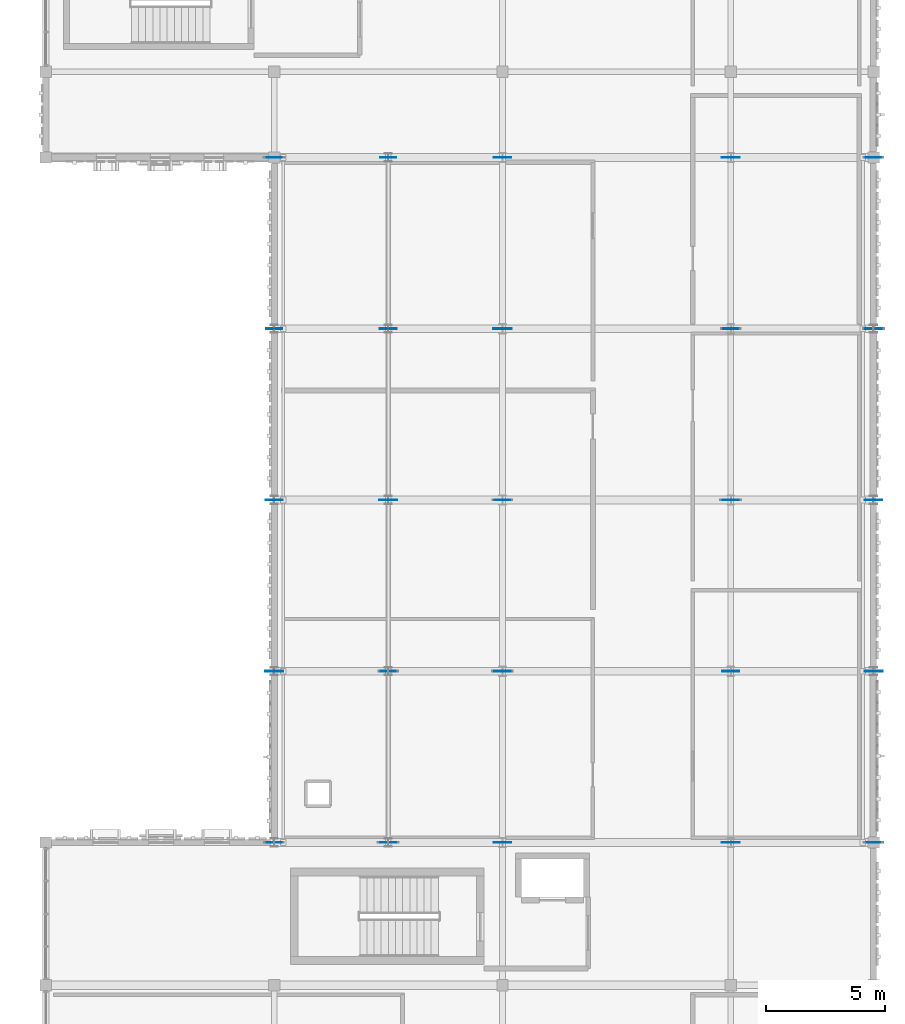
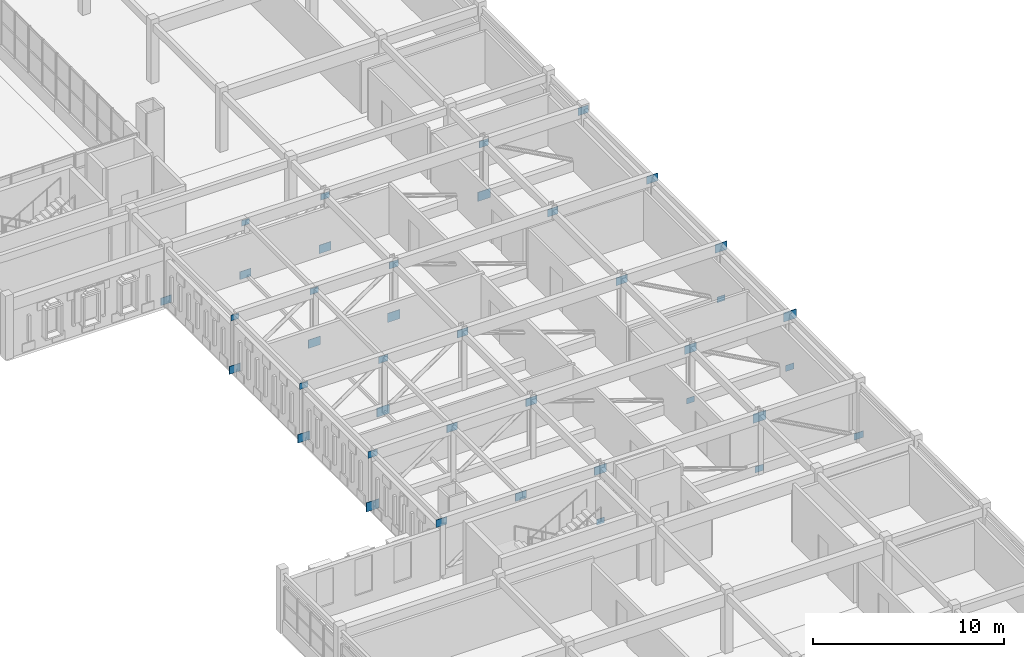
# One storey, part 45 of 79: 39 plates.
"""IFC4 building model written with IfcOpenShell, lengths in metres."""

from ifc_helpers import new_model, si_unit, direction, frame, origin, origin_2d, place, context, subcontext, project, spatial, rectangle, extrude, material, layer, layer_set, type_object, element, save


model = new_model("IFC4")

# Units and contexts
model_context = context("Model", 3, precision=1e-05, world=origin(), true_north=direction((0.0, 1.0)))
body_context = subcontext(model_context, "Body", "Model", "MODEL_VIEW")
ifc_project = project(units=[si_unit("LENGTHUNIT", "METRE"), si_unit("AREAUNIT", "SQUARE_METRE"), si_unit("VOLUMEUNIT", "CUBIC_METRE"), si_unit("PLANEANGLEUNIT", "RADIAN"), si_unit("MASSUNIT", "GRAM", prefix="KILO")], contexts=[model_context])

# Site, building, storey
site_placement = place(None, origin())
site = spatial("IfcSite", under=ifc_project, at=site_placement, CompositionType="ELEMENT")
building_placement = place(site_placement, origin())
building = spatial("IfcBuilding", under=site, at=building_placement, Name="Nzembalo Square Collegiate School", CompositionType="ELEMENT")
storey_placement = place(building_placement, frame((0.0, 0.0, 9.52001953125)))
storey = spatial("IfcBuildingStorey", under=building, at=storey_placement, Name="L02", CompositionType="ELEMENT", Elevation=9.52001953125)

# Plates
ifc_material_1 = material(Name="Steel S355", Category="steel")
ifc_layer_1 = layer(ifc_material_1, 0.030029296875, Name="Steel S355")
ifc_layer_set_1 = layer_set([ifc_layer_1], Name="Steel S355")
plate_type_1 = type_object("IfcPlateType", Name="KN03", PredefinedType="SHEET", material=ifc_layer_set_1)
for number, where, z_axis, x_axis, name in (
    (1, (159.60009765625, 50.39990234375, 3.27001953125), (0.0, 0.0, 1.0), (1.0, 0.0, 0.0), "TT-4B-01 transfer gusset plate KN03"),
    (2, (165.60009765625, 57.60009765625, 3.27001953125), (0.0, 0.0, 1.0), (1.0, 0.0, 0.0), "TT-4B-02 transfer gusset plate KN03"),
    (3, (140.39990234375, 57.60009765625, -0.030029296875), (0.0, 0.0, 1.0), (1.0, 0.0, 0.0), "TT-4B-02 transfer gusset plate KN03"),
    (4, (145.199951171875, 64.800048828125, -0.030029296875), (0.0, 0.0, 1.0), (1.0, 0.0, 0.0), "TT-4B-03 transfer gusset plate KN03"),
    (5, (150.0, 72.0, -0.030029296875), (0.0, 0.0, 1.0), (1.0, 0.0, 0.0), "TT-4B-04 transfer gusset plate KN03"),
    (6, (159.60009765625, 79.199951171875, -0.030029296875), (0.0, 0.0, 1.0), (1.0, 0.0, 0.0), "TT-4B-05 transfer gusset plate KN03"),
):
    element("IfcPlate", number, at=place(storey_placement, frame(where, z_axis=z_axis, x_axis=x_axis)), inside=storey, type_object=plate_type_1, Name=name, PredefinedType="SHEET", context=body_context, shape_type="SweptSolid", body=[
        extrude(rectangle(XDim=0.760009765625, YDim=0.030029296875, at=origin_2d()), origin(), (0.0, 0.0, 1.0), 0.580078125),
    ])
ifc_material_2 = material(Name="Steel S355", Category="steel")
ifc_layer_2 = layer(ifc_material_2, 0.028076171875, Name="Steel S355")
ifc_layer_set_2 = layer_set([ifc_layer_2], Name="Steel S355")
plate_type_2 = type_object("IfcPlateType", Name="KN04", PredefinedType="SHEET", material=ifc_layer_set_2)
for number, where, z_axis, x_axis, name in (
    (7, (150.0, 50.39990234375, 3.2900390625), (0.0, 0.0, 1.0), (1.0, 0.0, 0.0), "TT-4B-01 transfer gusset plate KN04"),
    (8, (159.60009765625, 57.60009765625, 3.2900390625), (0.0, 0.0, 1.0), (1.0, 0.0, 0.0), "TT-4B-02 transfer gusset plate KN04"),
    (9, (165.60009765625, 64.800048828125, 3.2900390625), (0.0, 0.0, 1.0), (1.0, 0.0, 0.0), "TT-4B-03 transfer gusset plate KN04"),
    (10, (140.39990234375, 64.800048828125, -0.010009765625), (0.0, 0.0, 1.0), (1.0, 0.0, 0.0), "TT-4B-03 transfer gusset plate KN04"),
    (11, (145.199951171875, 72.0, -0.010009765625), (0.0, 0.0, 1.0), (1.0, 0.0, 0.0), "TT-4B-04 transfer gusset plate KN04"),
    (12, (150.0, 79.199951171875, -0.010009765625), (0.0, 0.0, 1.0), (1.0, 0.0, 0.0), "TT-4B-05 transfer gusset plate KN04"),
):
    element("IfcPlate", number, at=place(storey_placement, frame(where, z_axis=z_axis, x_axis=x_axis)), inside=storey, type_object=plate_type_2, Name=name, PredefinedType="SHEET", context=body_context, shape_type="SweptSolid", body=[
        extrude(rectangle(XDim=0.719970703125, YDim=0.028076171875, at=origin_2d()), origin(), (0.0, 0.0, 1.0), 0.5400390625),
    ])
ifc_material_3 = material(Name="Steel S355", Category="steel")
ifc_layer_3 = layer(ifc_material_3, 0.02587890625, Name="Steel S355")
ifc_layer_set_3 = layer_set([ifc_layer_3], Name="Steel S355")
plate_type_3 = type_object("IfcPlateType", Name="KN05", PredefinedType="SHEET", material=ifc_layer_set_3)
for number, where, z_axis, x_axis, name in (
    (13, (145.199951171875, 50.39990234375, 3.31005859375), (0.0, 0.0, 1.0), (1.0, 0.0, 0.0), "TT-4B-01 transfer gusset plate KN05"),
    (14, (150.0, 57.60009765625, 3.31005859375), (0.0, 0.0, 1.0), (1.0, 0.0, 0.0), "TT-4B-02 transfer gusset plate KN05"),
    (15, (159.60009765625, 64.800048828125, 3.31005859375), (0.0, 0.0, 1.0), (1.0, 0.0, 0.0), "TT-4B-03 transfer gusset plate KN05"),
    (16, (165.60009765625, 72.0, 3.31005859375), (0.0, 0.0, 1.0), (1.0, 0.0, 0.0), "TT-4B-04 transfer gusset plate KN05"),
    (17, (140.39990234375, 72.0, 0.010009765625), (0.0, 0.0, 1.0), (1.0, 0.0, 0.0), "TT-4B-04 transfer gusset plate KN05"),
    (18, (145.199951171875, 79.199951171875, 0.010009765625), (0.0, 0.0, 1.0), (1.0, 0.0, 0.0), "TT-4B-05 transfer gusset plate KN05"),
):
    element("IfcPlate", number, at=place(storey_placement, frame(where, z_axis=z_axis, x_axis=x_axis)), inside=storey, type_object=plate_type_3, Name=name, PredefinedType="SHEET", context=body_context, shape_type="SweptSolid", body=[
        extrude(rectangle(XDim=0.679931640625, YDim=0.02587890625, at=origin_2d()), origin(), (0.0, 0.0, 1.0), 0.5),
    ])
ifc_material_4 = material(Name="Steel S355", Category="steel")
ifc_layer_4 = layer(ifc_material_4, 0.02392578125, Name="Steel S355")
ifc_layer_set_4 = layer_set([ifc_layer_4], Name="Steel S355")
plate_type_4 = type_object("IfcPlateType", Name="KN06", PredefinedType="SHEET", material=ifc_layer_set_4)
for number, where, z_axis, x_axis, name in (
    (19, (140.39990234375, 50.39990234375, 3.320068359375), (0.0, 0.0, 1.0), (1.0, 0.0, 0.0), "TT-4B-01 transfer gusset plate KN06"),
    (20, (145.199951171875, 57.60009765625, 3.320068359375), (0.0, 0.0, 1.0), (1.0, 0.0, 0.0), "TT-4B-02 transfer gusset plate KN06"),
    (21, (150.0, 64.800048828125, 3.320068359375), (0.0, 0.0, 1.0), (1.0, 0.0, 0.0), "TT-4B-03 transfer gusset plate KN06"),
    (22, (159.60009765625, 72.0, 3.320068359375), (0.0, 0.0, 1.0), (1.0, 0.0, 0.0), "TT-4B-04 transfer gusset plate KN06"),
    (23, (165.60009765625, 79.199951171875, 3.320068359375), (0.0, 0.0, 1.0), (1.0, 0.0, 0.0), "TT-4B-05 transfer gusset plate KN06"),
    (24, (140.39990234375, 79.199951171875, 0.02001953125), (0.0, 0.0, 1.0), (1.0, 0.0, 0.0), "TT-4B-05 transfer gusset plate KN06"),
):
    element("IfcPlate", number, at=place(storey_placement, frame(where, z_axis=z_axis, x_axis=x_axis)), inside=storey, type_object=plate_type_4, Name=name, PredefinedType="SHEET", context=body_context, shape_type="SweptSolid", body=[
        extrude(rectangle(XDim=0.639892578125, YDim=0.02392578125, at=origin_2d()), origin(), (0.0, 0.0, 1.0), 0.47998046875),
    ])
ifc_material_5 = material(Name="Steel S355", Category="steel")
ifc_layer_5 = layer(ifc_material_5, 0.02197265625, Name="Steel S355")
ifc_layer_set_5 = layer_set([ifc_layer_5], Name="Steel S355")
plate_type_5 = type_object("IfcPlateType", Name="KN07", PredefinedType="SHEET", material=ifc_layer_set_5)
for number, where, z_axis, x_axis, name in (
    (25, (165.60009765625, 50.39990234375, 0.050048828125), (0.0, 0.0, 1.0), (1.0, 0.0, 0.0), "TT-4B-01 transfer gusset plate KN07"),
    (26, (140.39990234375, 57.60009765625, 3.35009765625), (0.0, 0.0, 1.0), (1.0, 0.0, 0.0), "TT-4B-02 transfer gusset plate KN07"),
    (27, (145.199951171875, 64.800048828125, 3.35009765625), (0.0, 0.0, 1.0), (1.0, 0.0, 0.0), "TT-4B-03 transfer gusset plate KN07"),
    (28, (150.0, 72.0, 3.35009765625), (0.0, 0.0, 1.0), (1.0, 0.0, 0.0), "TT-4B-04 transfer gusset plate KN07"),
    (29, (159.60009765625, 79.199951171875, 3.35009765625), (0.0, 0.0, 1.0), (1.0, 0.0, 0.0), "TT-4B-05 transfer gusset plate KN07"),
):
    element("IfcPlate", number, at=place(storey_placement, frame(where, z_axis=z_axis, x_axis=x_axis)), inside=storey, type_object=plate_type_5, Name=name, PredefinedType="SHEET", context=body_context, shape_type="SweptSolid", body=[
        extrude(rectangle(XDim=0.56005859375, YDim=0.02197265625, at=origin_2d()), origin(), (0.0, 0.0, 1.0), 0.419921875),
    ])
ifc_material_6 = material(Name="Steel S355", Category="steel")
ifc_layer_6 = layer(ifc_material_6, 0.02001953125, Name="Steel S355")
ifc_layer_set_6 = layer_set([ifc_layer_6], Name="Steel S355")
plate_type_6 = type_object("IfcPlateType", Name="KN08", PredefinedType="SHEET", material=ifc_layer_set_6)
for number, where, z_axis, x_axis, name in (
    (30, (159.60009765625, 50.39990234375, 0.06494140625), (0.0, 0.0, 1.0), (1.0, 0.0, 0.0), "TT-4B-01 transfer gusset plate KN08"),
    (31, (165.60009765625, 57.60009765625, 0.06494140625), (0.0, 0.0, 1.0), (1.0, 0.0, 0.0), "TT-4B-02 transfer gusset plate KN08"),
    (32, (140.39990234375, 64.800048828125, 3.365234375), (0.0, 0.0, 1.0), (1.0, 0.0, 0.0), "TT-4B-03 transfer gusset plate KN08"),
    (33, (145.199951171875, 72.0, 3.365234375), (0.0, 0.0, 1.0), (1.0, 0.0, 0.0), "TT-4B-04 transfer gusset plate KN08"),
    (34, (150.0, 79.199951171875, 3.365234375), (0.0, 0.0, 1.0), (1.0, 0.0, 0.0), "TT-4B-05 transfer gusset plate KN08"),
):
    element("IfcPlate", number, at=place(storey_placement, frame(where, z_axis=z_axis, x_axis=x_axis)), inside=storey, type_object=plate_type_6, Name=name, PredefinedType="SHEET", context=body_context, shape_type="SweptSolid", body=[
        extrude(rectangle(XDim=0.52001953125, YDim=0.02001953125, at=origin_2d()), origin(), (0.0, 0.0, 1.0), 0.389892578125),
    ])
ifc_material_7 = material(Name="Steel S355", Category="steel")
ifc_layer_7 = layer(ifc_material_7, 0.01806640625, Name="Steel S355")
ifc_layer_set_7 = layer_set([ifc_layer_7], Name="Steel S355")
plate_type_7 = type_object("IfcPlateType", Name="KN09", PredefinedType="SHEET", material=ifc_layer_set_7)
for number, where, z_axis, x_axis, name in (
    (35, (150.0, 50.39990234375, 0.080078125), (0.0, 0.0, 1.0), (1.0, 0.0, 0.0), "TT-4B-01 transfer gusset plate KN09"),
    (36, (159.60009765625, 57.60009765625, 0.080078125), (0.0, 0.0, 1.0), (1.0, 0.0, 0.0), "TT-4B-02 transfer gusset plate KN09"),
    (37, (165.60009765625, 64.800048828125, 0.080078125), (0.0, 0.0, 1.0), (1.0, 0.0, 0.0), "TT-4B-03 transfer gusset plate KN09"),
    (38, (140.39990234375, 72.0, 3.3798828125), (0.0, 0.0, 1.0), (1.0, 0.0, 0.0), "TT-4B-04 transfer gusset plate KN09"),
    (39, (145.199951171875, 79.199951171875, 3.3798828125), (0.0, 0.0, 1.0), (1.0, 0.0, 0.0), "TT-4B-05 transfer gusset plate KN09"),
):
    element("IfcPlate", number, at=place(storey_placement, frame(where, z_axis=z_axis, x_axis=x_axis)), inside=storey, type_object=plate_type_7, Name=name, PredefinedType="SHEET", context=body_context, shape_type="SweptSolid", body=[
        extrude(rectangle(XDim=0.47998046875, YDim=0.01806640625, at=origin_2d()), origin(), (0.0, 0.0, 1.0), 0.360107421875),
    ])

save(model, "model.ifc")
